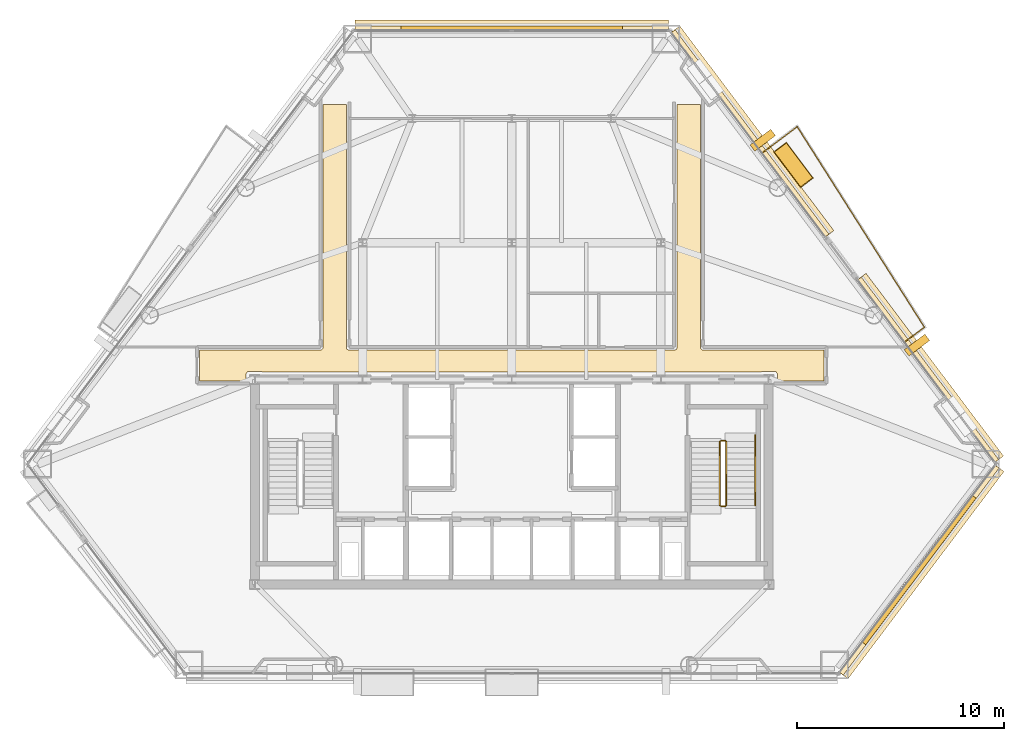
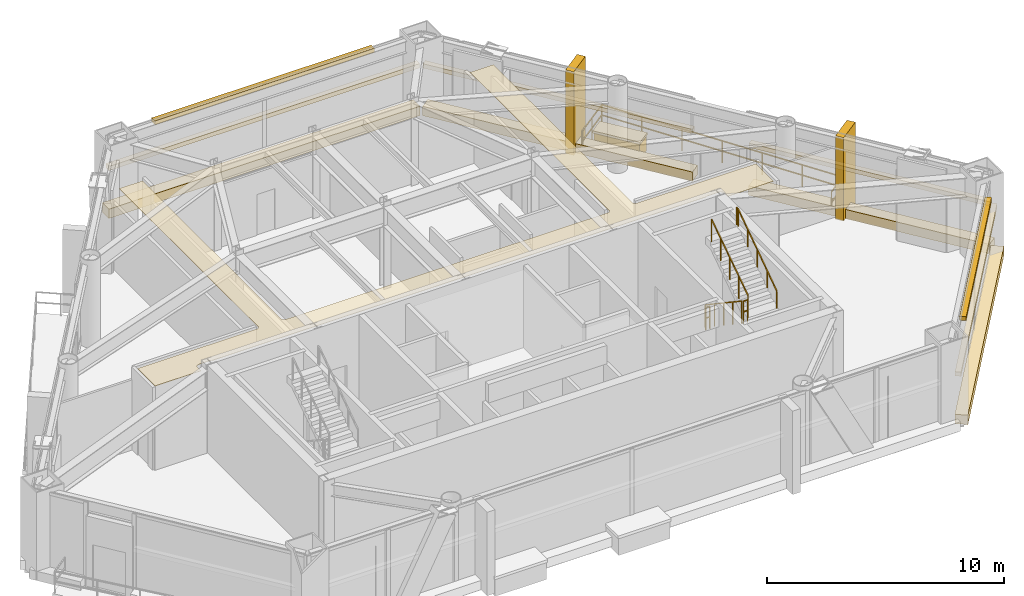
# One storey, part 10 of 10: 13 coverings, 6 railings, 2 shading devices.
"""IFC4 building model written with IfcOpenShell, lengths in metres."""

from ifc_helpers import new_model, si_unit, direction, frame, origin, origin_2d, place, context, subcontext, project, spatial, polyline, rectangle, outline, extrude, source, transform, mapped, material, layer, layer_set, type_object, type_shapes, element, save


model = new_model("IFC4")

# Units and contexts
model_context = context("Model", 3, precision=1e-05, world=origin(), true_north=direction((0.0, 1.0)))
body_context = subcontext(model_context, "Body", "Model", "MODEL_VIEW")
ifc_project = project(units=[si_unit("LENGTHUNIT", "METRE"), si_unit("AREAUNIT", "SQUARE_METRE"), si_unit("VOLUMEUNIT", "CUBIC_METRE"), si_unit("PLANEANGLEUNIT", "RADIAN"), si_unit("MASSUNIT", "GRAM", prefix="KILO")], contexts=[model_context])

# Site, building, storey
site_placement = place(None, origin())
site = spatial("IfcSite", under=ifc_project, at=site_placement, CompositionType="ELEMENT")
building_placement = place(site_placement, origin())
building = spatial("IfcBuilding", under=site, at=building_placement, Name="Talgorran Terracotta Tower", CompositionType="ELEMENT")
storey_placement = place(building_placement, frame((0.0, 0.0, 60.300048828125)))
storey = spatial("IfcBuildingStorey", under=building, at=storey_placement, Name="L15", CompositionType="ELEMENT", Elevation=60.300048828125)

# Coverings
ifc_material_1 = material(Name="Kiln-Fired Terracotta Ochre Ceramic", Category="masonry")
ifc_layer_1 = layer(ifc_material_1, 0.179931640625, Name="COV_BAGUETTE_TERRACOTTA_SCREEN")
ifc_layer_set_1 = layer_set([ifc_layer_1], Name="Kiln-Fired Terracotta Ochre Ceramic")
covering_type_1 = type_object("IfcCoveringType", Name="COV_BAGUETTE_TERRACOTTA_SCREEN", PredefinedType="CLADDING", material=ifc_layer_set_1)
covering_1_placement = place(storey_placement, frame((19.662353515625, -13.39892578125, 2.41015625), z_axis=(0.0, 0.0, 1.0), x_axis=(0.601438608227, 0.79891902001, 0.0)))
element("IfcCovering", 1, at=covering_1_placement, inside=storey, type_object=covering_type_1, Name="L15 Terracotta Baguette Solar Screen Assembly F2", PredefinedType="CLADDING", context=body_context, shape_type="SweptSolid", body=[
    extrude(rectangle(XDim=12.5078125, YDim=0.260009765625, at=origin_2d()), origin(), (0.0, 0.0, 1.0), 0.219970703125),
])
covering_2_placement = place(storey_placement, frame((20.087158203125, -3.73828125, 2.41015625), z_axis=(0.0, 0.0, 1.0), x_axis=(-0.601438608227, 0.79891902001, 0.0)))
element("IfcCovering", 2, at=covering_2_placement, inside=storey, type_object=covering_type_1, Name="L15 Terracotta Baguette Solar Screen Assembly F40", PredefinedType="CLADDING", context=body_context, shape_type="SweptSolid", body=[
    extrude(rectangle(XDim=11.015625, YDim=0.260009765625, at=origin_2d()), origin(), (0.0, 0.0, 1.0), 0.219970703125),
])
covering_3_placement = place(storey_placement, frame((11.4970703125, 7.67236328125, 2.41015625), z_axis=(0.0, 0.0, 1.0), x_axis=(-0.601438608227, 0.79891902001, 0.0)))
element("IfcCovering", 3, at=covering_3_placement, inside=storey, type_object=covering_type_1, Name="L15 Terracotta Baguette Solar Screen Assembly F41", PredefinedType="CLADDING", context=body_context, shape_type="SweptSolid", body=[
    extrude(rectangle(XDim=12.349609375, YDim=0.260009765625, at=origin_2d()), origin(), (0.0, 0.0, 1.0), 0.219970703125),
])
covering_4_placement = place(storey_placement, frame((0.0, 12.7333984375, 2.41015625), z_axis=(0.0, 0.0, 1.0), x_axis=(-1.0, 0.0, 0.0)))
element("IfcCovering", 4, at=covering_4_placement, inside=storey, type_object=covering_type_1, Name="L15 Terracotta Baguette Solar Screen Assembly F4", PredefinedType="CLADDING", context=body_context, shape_type="SweptSolid", body=[
    extrude(rectangle(XDim=15.134521484375, YDim=0.260009765625, at=origin_2d()), origin(), (0.0, 0.0, 1.0), 0.219970703125),
])
ifc_material_2 = material(Name="Mineral Fibre Acoustic Tile")
ifc_layer_2 = layer(ifc_material_2, 0.02490234375, Name="COV_CEIL_ACOUSTIC")
ifc_layer_set_2 = layer_set([ifc_layer_2], Name="Mineral Fibre Acoustic Tile")
covering_type_2 = type_object("IfcCoveringType", Name="COV_CEIL_ACOUSTIC", PredefinedType="CEILING", material=ifc_layer_set_2)
covering_5_placement = place(storey_placement, frame((0.0, 0.0, 4.159912109375)))
element("IfcCovering", 5, at=covering_5_placement, inside=storey, type_object=covering_type_2, Name="CEIL-L15-2", PredefinedType="CEILING", context=body_context, shape_type="SweptSolid", body=[
    extrude(outline(polyline([(-12.788818359375, -3.878662109375), (-12.79296875, -3.882568359375), (-12.80078125, -3.89111328125), (-12.806396484375, -3.89794921875), (-12.813720703125, -3.907470703125), (-12.819580078125, -3.91748046875), (-12.82470703125, -3.927978515625), (-12.82861328125, -3.939208984375), (-12.83154296875, -3.95068359375), (-12.833251953125, -3.962158203125), (-12.833984375, -3.97412109375), (-12.834716796875, -4.264892578125), (-15.06494140625, -4.264892578125), (-15.06494140625, -2.784912109375), (-9.25, -2.784912109375), (-9.23828125, -2.784423828125), (-9.226806640625, -2.78271484375), (-9.21533203125, -2.77978515625), (-9.20703125, -2.77734375), (-9.196044921875, -2.7734375), (-9.185302734375, -2.768310546875), (-9.17529296875, -2.762451171875), (-9.165771484375, -2.75537109375), (-9.156982421875, -2.74755859375), (-9.149169921875, -2.73876953125), (-9.1435546875, -2.73193359375), (-9.136474609375, -2.722412109375), (-9.13037109375, -2.71240234375), (-9.125244140625, -2.70166015625), (-9.121337890625, -2.690673828125), (-9.118408203125, -2.67919921875), (-9.11669921875, -2.66748046875), (-9.1162109375, -2.65576171875), (-9.114990234375, 9.06494140625), (-7.985107421875, 9.06494140625), (-7.985107421875, -2.64990234375), (-7.984375, -2.66162109375), (-7.982666015625, -2.67333984375), (-7.97998046875, -2.6845703125), (-7.977294921875, -2.69287109375), (-7.973388671875, -2.7041015625), (-7.968505859375, -2.714599609375), (-7.96240234375, -2.724853515625), (-7.955322265625, -2.734375), (-7.947509765625, -2.742919921875), (-7.938720703125, -2.7509765625), (-7.931884765625, -2.756591796875), (-7.922607421875, -2.763671875), (-7.912353515625, -2.769775390625), (-7.901611328125, -2.774658203125), (-7.890625, -2.77880859375), (-7.879150390625, -2.781494140625), (-7.867431640625, -2.783203125), (-7.855712890625, -2.783935546875), (7.85009765625, -2.784912109375), (7.86181640625, -2.784423828125), (7.873291015625, -2.78271484375), (7.884521484375, -2.77978515625), (7.892822265625, -2.77734375), (7.904052734375, -2.7734375), (7.914794921875, -2.768310546875), (7.9248046875, -2.762451171875), (7.934326171875, -2.75537109375), (7.943115234375, -2.74755859375), (7.950927734375, -2.73876953125), (7.95654296875, -2.73193359375), (7.963623046875, -2.722412109375), (7.9697265625, -2.71240234375), (7.974609375, -2.70166015625), (7.978759765625, -2.690673828125), (7.981689453125, -2.67919921875), (7.9833984375, -2.66748046875), (7.98388671875, -2.65576171875), (7.985107421875, 9.06494140625), (9.114990234375, 9.06494140625), (9.114990234375, -2.64990234375), (9.115478515625, -2.66162109375), (9.1171875, -2.67333984375), (9.1201171875, -2.6845703125), (9.12255859375, -2.69287109375), (9.12646484375, -2.7041015625), (9.131591796875, -2.714599609375), (9.1376953125, -2.724853515625), (9.14453125, -2.734375), (9.152587890625, -2.742919921875), (9.1611328125, -2.7509765625), (9.16796875, -2.756591796875), (9.177490234375, -2.763671875), (9.1875, -2.769775390625), (9.1982421875, -2.774658203125), (9.20947265625, -2.77880859375), (9.220703125, -2.781494140625), (9.232421875, -2.783203125), (9.244384765625, -2.783935546875), (15.06494140625, -2.784912109375), (15.06494140625, -4.264892578125), (12.8349609375, -4.264892578125), (12.834716796875, -3.97705078125), (12.833984375, -3.96533203125), (12.83251953125, -3.95361328125), (12.82958984375, -3.9423828125), (12.82568359375, -3.931396484375), (12.820556640625, -3.920654296875), (12.81640625, -3.9130859375), (12.810302734375, -3.90283203125), (12.803466796875, -3.893310546875), (12.79541015625, -3.884521484375), (12.78857421875, -3.87841796875), (12.785888671875, -3.872314453125), (12.77978515625, -3.8623046875), (12.772705078125, -3.852783203125), (12.764892578125, -3.843994140625), (12.756103515625, -3.836181640625), (12.74658203125, -3.8291015625), (12.736572265625, -3.8232421875), (12.725830078125, -3.818115234375), (12.71484375, -3.814208984375), (12.703369140625, -3.811279296875), (12.69189453125, -3.8095703125), (12.679931640625, -3.80908203125), (12.1201171875, -3.80908203125), (12.108154296875, -3.8095703125), (12.0966796875, -3.811279296875), (12.085205078125, -3.814208984375), (12.07421875, -3.818115234375), (12.0634765625, -3.8232421875), (12.05322265625, -3.8291015625), (12.0439453125, -3.836181640625), (12.03515625, -3.843994140625), (12.034423828125, -3.844970703125), (7.432861328125, -3.844970703125), (6.968017578125, -3.843017578125), (6.967529296875, -3.843017578125), (0.232666015625, -3.844970703125), (-0.23193359375, -3.843017578125), (-0.232421875, -3.843017578125), (-6.96728515625, -3.844970703125), (-7.431884765625, -3.843017578125), (-7.4326171875, -3.843017578125), (-12.034423828125, -3.844970703125), (-12.03515625, -3.843994140625), (-12.0439453125, -3.836181640625), (-12.05322265625, -3.8291015625), (-12.0634765625, -3.8232421875), (-12.07421875, -3.818115234375), (-12.085205078125, -3.814208984375), (-12.0966796875, -3.811279296875), (-12.108154296875, -3.8095703125), (-12.1201171875, -3.80908203125), (-12.679931640625, -3.80908203125), (-12.69189453125, -3.8095703125), (-12.703369140625, -3.811279296875), (-12.71484375, -3.814208984375), (-12.725830078125, -3.818115234375), (-12.736572265625, -3.8232421875), (-12.74658203125, -3.8291015625), (-12.756103515625, -3.836181640625), (-12.764892578125, -3.843994140625), (-12.772705078125, -3.852783203125), (-12.77978515625, -3.8623046875), (-12.785888671875, -3.872314453125), (-12.788818359375, -3.878662109375)])), origin(), (0.0, 0.0, 1.0), 0.02001953125),
])
ifc_material_3 = material(Name="Honed Limestone and Terracotta Planter", Category="masonry")
ifc_layer_3 = layer(ifc_material_3, 0.1201171875, Name="COV_PLANTER_BOX")
ifc_layer_set_3 = layer_set([ifc_layer_3], Name="Honed Limestone and Terracotta Planter")
covering_type_3 = type_object("IfcCoveringType", Name="COV_PLANTER_BOX", PredefinedType="CLADDING", material=ifc_layer_set_3)
covering_6_placement = place(storey_placement, frame((13.603271484375, 6.15478515625, -0.02001953125), z_axis=(0.0, 0.0, 1.0), x_axis=(-0.601438608227, 0.79891902001, 0.0)))
element("IfcCovering", 6, at=covering_6_placement, inside=storey, type_object=covering_type_3, Name="L15 Staggered Balcony Planter Box BAL-NE", PredefinedType="CLADDING", context=body_context, shape_type="SweptSolid", body=[
    extrude(rectangle(XDim=2.10009765625, YDim=0.719970703125, at=origin_2d()), origin(), (0.0, 0.0, 1.0), 0.860107421875),
])
ifc_material_4 = material(Name="Kiln-Fired Terracotta Planter Rim", Category="masonry")
ifc_layer_4 = layer(ifc_material_4, 0.10009765625, Name="COV_PLANTER_RIM")
ifc_layer_set_4 = layer_set([ifc_layer_4], Name="Kiln-Fired Terracotta Planter Rim")
covering_type_4 = type_object("IfcCoveringType", Name="COV_PLANTER_RIM", PredefinedType="CLADDING", material=ifc_layer_set_4)
covering_7_placement = place(storey_placement, frame((13.603271484375, 6.15478515625, 0.7998046875), z_axis=(0.0, 0.0, 1.0), x_axis=(-0.601438608227, 0.79891902001, 0.0)))
element("IfcCovering", 7, at=covering_7_placement, inside=storey, type_object=covering_type_4, Name="L15 Balcony Planter Terracotta Rim BAL-NE", PredefinedType="CLADDING", context=body_context, shape_type="SweptSolid", body=[
    extrude(rectangle(XDim=2.179931640625, YDim=0.780029296875, at=origin_2d()), origin(), (0.0, 0.0, 1.0), 0.1201171875),
])
ifc_material_5 = material(Name="Honed Limestone Cladding", Category="masonry")
ifc_layer_5 = layer(ifc_material_5, 0.094970703125, Name="COV_PORTAL_LIME")
ifc_layer_set_5 = layer_set([ifc_layer_5], Name="Honed Limestone Cladding")
covering_type_5 = type_object("IfcCoveringType", Name="COV_PORTAL_LIME", PredefinedType="CLADDING", material=ifc_layer_set_5)
covering_8_placement = place(storey_placement, frame((19.5625, -2.54248046875, -0.05029296875), z_axis=(0.0, 0.0, 1.0), x_axis=(-0.601438608227, 0.79891902001, 0.0)))
element("IfcCovering", 8, at=covering_8_placement, inside=storey, type_object=covering_type_5, Name="L15 White Striped Portal Fin F3-1", PredefinedType="CLADDING", context=body_context, shape_type="SweptSolid", body=[
    extrude(rectangle(XDim=0.3798828125, YDim=1.25, at=origin_2d()), origin(), (0.0, 0.0, 1.0), 4.300048828125),
])
ifc_material_6 = material(Name="Kiln-Fired Terracotta Cladding", Category="masonry")
ifc_layer_6 = layer(ifc_material_6, 0.090087890625, Name="COV_PORTAL_TERRA")
ifc_layer_set_6 = layer_set([ifc_layer_6], Name="Kiln-Fired Terracotta Cladding")
covering_type_6 = type_object("IfcCoveringType", Name="COV_PORTAL_TERRA", PredefinedType="CLADDING", material=ifc_layer_set_6)
covering_9_placement = place(storey_placement, frame((19.7744140625, -13.483154296875, -0.0400390625), z_axis=(0.0, 0.0, 1.0), x_axis=(0.601438608227, 0.79891902001, 0.0)))
element("IfcCovering", 9, at=covering_9_placement, inside=storey, type_object=covering_type_6, Name="L15 Striped Postmodern Portal Cladding Band F2", PredefinedType="CLADDING", context=body_context, shape_type="SweptSolid", body=[
    extrude(rectangle(XDim=12.52783203125, YDim=0.56005859375, at=origin_2d()), origin(), (0.0, 0.0, 1.0), 0.47998046875),
])
covering_10_placement = place(storey_placement, frame((20.198974609375, -3.654052734375, -0.0400390625), z_axis=(0.0, 0.0, 1.0), x_axis=(-0.601438608227, 0.79891902001, 0.0)))
element("IfcCovering", 10, at=covering_10_placement, inside=storey, type_object=covering_type_6, Name="L15 Striped Postmodern Portal Cladding Band F40", PredefinedType="CLADDING", context=body_context, shape_type="SweptSolid", body=[
    extrude(rectangle(XDim=11.03564453125, YDim=0.56005859375, at=origin_2d()), origin(), (0.0, 0.0, 1.0), 0.47998046875),
])
covering_11_placement = place(storey_placement, frame((11.60888671875, 7.756591796875, -0.0400390625), z_axis=(0.0, 0.0, 1.0), x_axis=(-0.601438608227, 0.79891902001, 0.0)))
element("IfcCovering", 11, at=covering_11_placement, inside=storey, type_object=covering_type_6, Name="L15 Striped Postmodern Portal Cladding Band F41", PredefinedType="CLADDING", context=body_context, shape_type="SweptSolid", body=[
    extrude(rectangle(XDim=12.36962890625, YDim=0.56005859375, at=origin_2d()), origin(), (0.0, 0.0, 1.0), 0.47998046875),
])
covering_12_placement = place(storey_placement, frame((0.0, 12.873291015625, -0.0400390625), z_axis=(0.0, 0.0, 1.0), x_axis=(-1.0, 0.0, 0.0)))
element("IfcCovering", 12, at=covering_12_placement, inside=storey, type_object=covering_type_6, Name="L15 Striped Postmodern Portal Cladding Band F4", PredefinedType="CLADDING", context=body_context, shape_type="SweptSolid", body=[
    extrude(rectangle(XDim=15.154296875, YDim=0.56005859375, at=origin_2d()), origin(), (0.0, 0.0, 1.0), 0.47998046875),
])
covering_13_placement = place(storey_placement, frame((12.1181640625, 7.34619140625, -0.05029296875), z_axis=(0.0, 0.0, 1.0), x_axis=(-0.601438608227, 0.79891902001, 0.0)))
element("IfcCovering", 13, at=covering_13_placement, inside=storey, type_object=covering_type_6, Name="L15 Terracotta Striped Portal Fin F3-2", PredefinedType="CLADDING", context=body_context, shape_type="SweptSolid", body=[
    extrude(rectangle(XDim=0.3798828125, YDim=1.25, at=origin_2d()), origin(), (0.0, 0.0, 1.0), 4.300048828125),
])

# Railings
ifc_material_7 = material(Name="Laminated Glass and Stainless Steel 316", Category="steel")
railing_type_1 = type_object("IfcRailingType", Name="RL_BALCONY_1150", PredefinedType="BALUSTRADE", material=ifc_material_7)
railing_1_placement = place(storey_placement, frame((18.97314453125, -2.3916015625, 0.0)))
element("IfcRailing", 14, at=railing_1_placement, inside=storey, type_object=railing_type_1, Name="RL-L15-BAL-BAL-NE", PredefinedType="BALUSTRADE", context=body_context, shape_type="SweptSolid", body=[
    extrude(rectangle(XDim=0.048095703125, YDim=0.048095703125, at=origin_2d()), frame((0.0, 0.0, 1.1259765625), z_axis=(0.798962581656, 0.601380738895, 0.0), x_axis=(-0.601380738895, 0.798962581656, 0.0)), (0.0, 0.0, 1.0), 1.1875),
    extrude(rectangle(XDim=0.048095703125, YDim=0.048095703125, at=origin_2d()), frame((0.0, 0.0, 0.597900390625), z_axis=(0.798962581656, 0.601380738895, 0.0), x_axis=(-0.601380738895, 0.798962581656, 0.0)), (0.0, 0.0, 1.0), 1.1875),
    extrude(rectangle(XDim=0.048095703125, YDim=0.048095703125, at=origin_2d()), frame((0.94873046875, 0.714111328125, 1.1259765625), z_axis=(-0.535725754027, 0.84439203956, 0.0), x_axis=(-0.84439203956, -0.535725754027, 0.0)), (0.0, 0.0, 1.0), 11.464111328125),
    extrude(rectangle(XDim=0.048095703125, YDim=0.048095703125, at=origin_2d()), frame((0.94873046875, 0.714111328125, 0.597900390625), z_axis=(-0.535725754027, 0.84439203956, 0.0), x_axis=(-0.84439203956, -0.535725754027, 0.0)), (0.0, 0.0, 1.0), 11.464111328125),
    extrude(rectangle(XDim=0.048095703125, YDim=0.048095703125, at=origin_2d()), frame((-5.19287109375, 10.394287109375, 1.1259765625), z_axis=(-0.798925901042, -0.601429467722, 0.0), x_axis=(0.601429467722, -0.798925901042, 0.0)), (0.0, 0.0, 1.0), 2.102783203125),
    extrude(rectangle(XDim=0.048095703125, YDim=0.048095703125, at=origin_2d()), frame((-5.19287109375, 10.394287109375, 0.597900390625), z_axis=(-0.798925901042, -0.601429467722, 0.0), x_axis=(0.601429467722, -0.798925901042, 0.0)), (0.0, 0.0, 1.0), 2.102783203125),
    extrude(rectangle(XDim=0.0419921875, YDim=0.0419921875, at=origin_2d()), origin(), (0.0, 0.0, 1.0), 1.101806640625),
    extrude(rectangle(XDim=0.0419921875, YDim=0.0419921875, at=origin_2d()), frame((0.94873046875, 0.714111328125, 0.0)), (0.0, 0.0, 1.0), 1.101806640625),
    extrude(rectangle(XDim=0.0419921875, YDim=0.0419921875, at=origin_2d()), frame((-0.074951171875, 2.327392578125, 0.0)), (0.0, 0.0, 1.0), 1.101806640625),
    extrude(rectangle(XDim=0.0419921875, YDim=0.0419921875, at=origin_2d()), frame((-1.098388671875, 3.94091796875, 0.0)), (0.0, 0.0, 1.0), 1.101806640625),
    extrude(rectangle(XDim=0.0419921875, YDim=0.0419921875, at=origin_2d()), frame((-2.1220703125, 5.55419921875, 0.0)), (0.0, 0.0, 1.0), 1.101806640625),
    extrude(rectangle(XDim=0.0419921875, YDim=0.0419921875, at=origin_2d()), frame((-3.145751953125, 7.16748046875, 0.0)), (0.0, 0.0, 1.0), 1.101806640625),
    extrude(rectangle(XDim=0.0419921875, YDim=0.0419921875, at=origin_2d()), frame((-4.169189453125, 8.781005859375, 0.0)), (0.0, 0.0, 1.0), 1.101806640625),
    extrude(rectangle(XDim=0.0419921875, YDim=0.0419921875, at=origin_2d()), frame((-5.19287109375, 10.394287109375, 0.0)), (0.0, 0.0, 1.0), 1.101806640625),
    extrude(rectangle(XDim=0.0419921875, YDim=0.0419921875, at=origin_2d()), frame((-6.03271484375, 9.761962890625, 0.0)), (0.0, 0.0, 1.0), 1.101806640625),
    extrude(rectangle(XDim=0.0419921875, YDim=0.0419921875, at=origin_2d()), frame((-6.872802734375, 9.129638671875, 0.0)), (0.0, 0.0, 1.0), 1.101806640625),
])
ifc_material_8 = material(Name="Steel S355 (300PLUS)", Category="steel")
railing_type_2 = type_object("IfcRailingType", Name="RL_HANDRAIL_920", PredefinedType="HANDRAIL", material=ifc_material_8)
railing_2_placement = place(storey_placement, frame((11.75, -10.280029296875, 2.4375)))
element("IfcRailing", 15, at=railing_2_placement, inside=storey, type_object=railing_type_2, Name="L15 ST-02 stair handrail 2", PredefinedType="HANDRAIL", context=body_context, shape_type="SweptSolid", body=[
    extrude(rectangle(XDim=0.048095703125, YDim=0.048095703125, at=origin_2d()), frame((0.0, 0.0, 0.89599609375), z_axis=(0.0, 0.82301009837, 0.568026740551), x_axis=(-1.0, 0.0, 0.0)), (0.0, 0.0, 1.0), 3.961181640625),
    extrude(rectangle(XDim=0.048095703125, YDim=0.048095703125, at=origin_2d()), frame((0.0, 3.260009765625, 3.14599609375), z_axis=(0.0, 1.0, 0.0), x_axis=(-1.0, 0.0, 0.0)), (0.0, 0.0, 1.0), 0.1201171875),
    extrude(rectangle(XDim=0.0419921875, YDim=0.0419921875, at=origin_2d()), origin(), (0.0, 0.0, 1.0), 0.871826171875),
    extrude(rectangle(XDim=0.0419921875, YDim=0.0419921875, at=origin_2d()), frame((0.0, 0.81494140625, 0.5625)), (0.0, 0.0, 1.0), 0.871826171875),
    extrude(rectangle(XDim=0.0419921875, YDim=0.0419921875, at=origin_2d()), frame((0.0, 1.6298828125, 1.125)), (0.0, 0.0, 1.0), 0.871826171875),
    extrude(rectangle(XDim=0.0419921875, YDim=0.0419921875, at=origin_2d()), frame((0.0, 2.445068359375, 1.6875)), (0.0, 0.0, 1.0), 0.871826171875),
    extrude(rectangle(XDim=0.0419921875, YDim=0.0419921875, at=origin_2d()), frame((0.0, 3.260009765625, 2.25)), (0.0, 0.0, 1.0), 0.871826171875),
    extrude(rectangle(XDim=0.0419921875, YDim=0.0419921875, at=origin_2d()), frame((0.0, 3.380126953125, 2.25)), (0.0, 0.0, 1.0), 0.871826171875),
])
railing_type_3 = type_object("IfcRailingType", Name="RL_STAIR_GUARD", PredefinedType="GUARDRAIL", material=ifc_material_8)
railing_3_placement = place(storey_placement, frame((10.050048828125, -7.199951171875, 0.1875)))
element("IfcRailing", 16, at=railing_3_placement, inside=storey, type_object=railing_type_3, Name="L15 ST-02 stair guard 1", PredefinedType="GUARDRAIL", context=body_context, shape_type="SweptSolid", body=[
    extrude(rectangle(XDim=0.048095703125, YDim=0.048095703125, at=origin_2d()), frame((0.0, 0.0, 1.15576171875), z_axis=(0.0, -0.830913701846, 0.55640131208), x_axis=(1.0, 0.0, 0.0)), (0.0, 0.0, 1.0), 3.706787109375),
    extrude(rectangle(XDim=0.0419921875, YDim=0.0419921875, at=origin_2d()), origin(), (0.0, 0.0, 1.0), 1.1318359375),
    extrude(rectangle(XDim=0.0419921875, YDim=0.0419921875, at=origin_2d()), frame((0.0, -0.77001953125, 0.515625)), (0.0, 0.0, 1.0), 1.1318359375),
    extrude(rectangle(XDim=0.0419921875, YDim=0.0419921875, at=origin_2d()), frame((0.0, -1.5400390625, 1.03125)), (0.0, 0.0, 1.0), 1.1318359375),
    extrude(rectangle(XDim=0.0419921875, YDim=0.0419921875, at=origin_2d()), frame((0.0, -2.31005859375, 1.546875)), (0.0, 0.0, 1.0), 1.1318359375),
    extrude(rectangle(XDim=0.0419921875, YDim=0.0419921875, at=origin_2d()), frame((0.0, -3.080078125, 2.0625)), (0.0, 0.0, 1.0), 1.1318359375),
])
railing_4_placement = place(storey_placement, frame((10.10009765625, -10.330078125, 2.25)))
element("IfcRailing", 17, at=railing_4_placement, inside=storey, type_object=railing_type_3, Name="L15 ST-02 stair guard 2", PredefinedType="GUARDRAIL", context=body_context, shape_type="SweptSolid", body=[
    extrude(rectangle(XDim=0.048095703125, YDim=0.048095703125, at=origin_2d()), frame((0.0, 0.0, 1.15576171875), z_axis=(1.0, 0.0, 0.0), x_axis=(0.0, 1.0, 0.0)), (0.0, 0.0, 1.0), 0.199951171875),
    extrude(rectangle(XDim=0.048095703125, YDim=0.048095703125, at=origin_2d()), frame((0.0, 0.0, 0.613525390625), z_axis=(1.0, 0.0, 0.0), x_axis=(0.0, 1.0, 0.0)), (0.0, 0.0, 1.0), 0.199951171875),
    extrude(rectangle(XDim=0.0419921875, YDim=0.0419921875, at=origin_2d()), origin(), (0.0, 0.0, 1.0), 1.1318359375),
    extrude(rectangle(XDim=0.0419921875, YDim=0.0419921875, at=origin_2d()), frame((0.199951171875, 0.0, 0.0)), (0.0, 0.0, 1.0), 1.1318359375),
])
railing_5_placement = place(storey_placement, frame((10.35009765625, -10.280029296875, 2.4375)))
element("IfcRailing", 18, at=railing_5_placement, inside=storey, type_object=railing_type_3, Name="L15 ST-02 stair guard 3", PredefinedType="GUARDRAIL", context=body_context, shape_type="SweptSolid", body=[
    extrude(rectangle(XDim=0.048095703125, YDim=0.048095703125, at=origin_2d()), frame((0.0, 0.0, 1.15576171875), z_axis=(0.0, 0.830913701846, 0.55640131208), x_axis=(-1.0, 0.0, 0.0)), (0.0, 0.0, 1.0), 3.706787109375),
    extrude(rectangle(XDim=0.0419921875, YDim=0.0419921875, at=origin_2d()), origin(), (0.0, 0.0, 1.0), 1.1318359375),
    extrude(rectangle(XDim=0.0419921875, YDim=0.0419921875, at=origin_2d()), frame((0.0, 0.77001953125, 0.515625)), (0.0, 0.0, 1.0), 1.1318359375),
    extrude(rectangle(XDim=0.0419921875, YDim=0.0419921875, at=origin_2d()), frame((0.0, 1.5400390625, 1.03125)), (0.0, 0.0, 1.0), 1.1318359375),
    extrude(rectangle(XDim=0.0419921875, YDim=0.0419921875, at=origin_2d()), frame((0.0, 2.31005859375, 1.546875)), (0.0, 0.0, 1.0), 1.1318359375),
    extrude(rectangle(XDim=0.0419921875, YDim=0.0419921875, at=origin_2d()), frame((0.0, 3.080078125, 2.0625)), (0.0, 0.0, 1.0), 1.1318359375),
])
railing_6_placement = place(storey_placement, frame((10.10009765625, -7.14990234375, 0.0)))
element("IfcRailing", 19, at=railing_6_placement, inside=storey, type_object=railing_type_3, Name="L15 ST-02 stair guard 4", PredefinedType="GUARDRAIL", context=body_context, shape_type="SweptSolid", body=[
    extrude(rectangle(XDim=0.048095703125, YDim=0.048095703125, at=origin_2d()), frame((0.0, 0.0, 1.15576171875), z_axis=(1.0, 0.0, 0.0), x_axis=(0.0, 1.0, 0.0)), (0.0, 0.0, 1.0), 0.199951171875),
    extrude(rectangle(XDim=0.048095703125, YDim=0.048095703125, at=origin_2d()), frame((0.0, 0.0, 0.613525390625), z_axis=(1.0, 0.0, 0.0), x_axis=(0.0, 1.0, 0.0)), (0.0, 0.0, 1.0), 0.199951171875),
    extrude(rectangle(XDim=0.0419921875, YDim=0.0419921875, at=origin_2d()), origin(), (0.0, 0.0, 1.0), 1.1318359375),
    extrude(rectangle(XDim=0.0419921875, YDim=0.0419921875, at=origin_2d()), frame((0.199951171875, 0.0, 0.0)), (0.0, 0.0, 1.0), 1.1318359375),
])

# Shading devices
ifc_material_9 = material(Name="Kiln-Fired Terracotta", Category="masonry")
ifc_layer_7 = layer(ifc_material_9, 0.280029296875, Name="SHD_SUNSHADE_TERRA")
ifc_layer_set_7 = layer_set([ifc_layer_7], Name="Kiln-Fired Terracotta")
shading_device_type = type_object("IfcShadingDeviceType", Name="SHD_SUNSHADE_TERRA", PredefinedType="AWNING", material=ifc_layer_set_7)
shared_shape_1 = source(origin(), body_context, "Body", "SweptSolid", [
    extrude(rectangle(XDim=8.853515625, YDim=0.280029296875, at=origin_2d()), origin(), (0.0, 0.0, 1.0), 0.199951171875),
])
shading_device_1_placement = place(storey_placement, frame((19.646484375, -13.386962890625, 4.009765625), z_axis=(0.0, 0.0, 1.0), x_axis=(0.601438608227, 0.79891902001, 0.0)))
element("IfcShadingDevice", 20, at=shading_device_1_placement, inside=storey, type_object=shading_device_type, Name="SHD-BROW-L15-F2", PredefinedType="AWNING", context=body_context, shape_type="MappedRepresentation", body=[
    mapped(shared_shape_1, transform((0.0, 0.0, 0.0), scale=1.0)),
])
shared_shape_2 = source(origin(), body_context, "Body", "SweptSolid", [
    extrude(rectangle(XDim=10.692138671875, YDim=0.280029296875, at=origin_2d()), origin(), (0.0, 0.0, 1.0), 0.199951171875),
])
type_shapes(shading_device_type, [shared_shape_1, shared_shape_2])
shading_device_2_placement = place(storey_placement, frame((0.0, 12.71337890625, 4.009765625), z_axis=(0.0, 0.0, 1.0), x_axis=(-1.0, 0.0, 0.0)))
element("IfcShadingDevice", 21, at=shading_device_2_placement, inside=storey, type_object=shading_device_type, Name="SHD-BROW-L15-F4", PredefinedType="AWNING", context=body_context, shape_type="MappedRepresentation", body=[
    mapped(shared_shape_2, transform((0.0, 0.0, 0.0), scale=1.0)),
])

save(model, "model.ifc")
